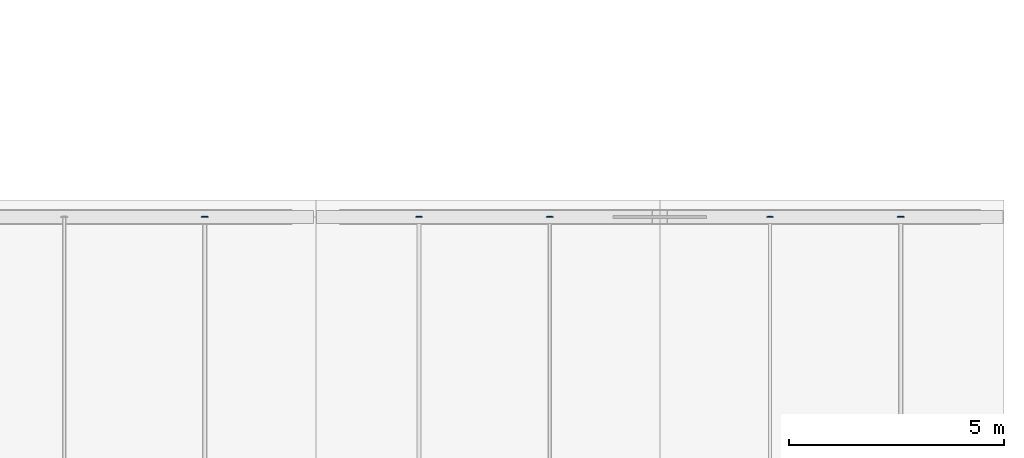
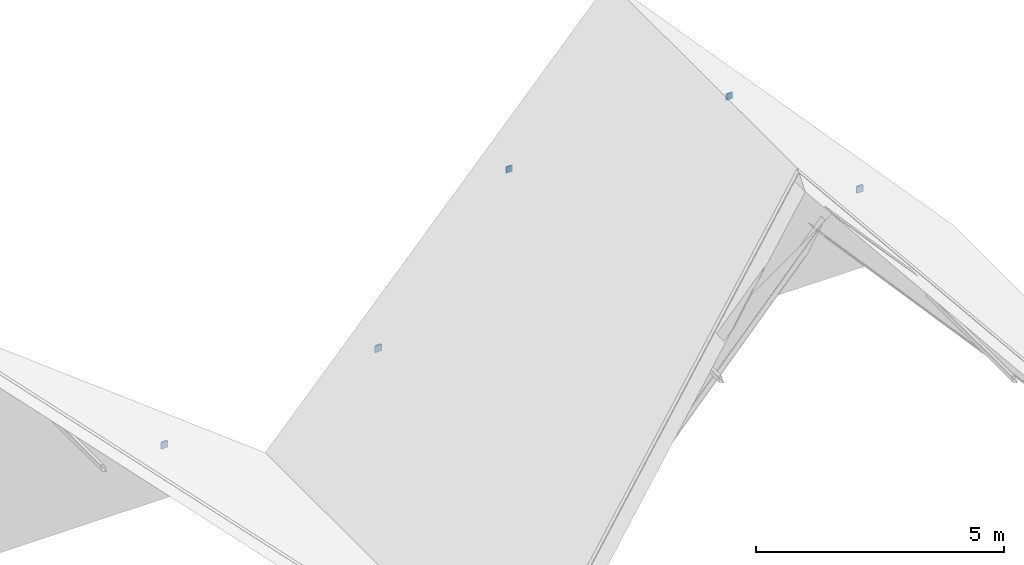
# One storey, part 52 of 64: 10 plates.
"""IFC4 building model written with IfcOpenShell, lengths in metres."""

from ifc_helpers import new_model, si_unit, direction, frame, origin, origin_2d, place, context, subcontext, project, spatial, rectangle, extrude, material, layer, layer_set, type_object, element, save


model = new_model("IFC4")

# Units and contexts
model_context = context("Model", 3, precision=1e-05, world=origin(), true_north=direction((0.0, 1.0)))
body_context = subcontext(model_context, "Body", "Model", "MODEL_VIEW")
ifc_project = project(units=[si_unit("LENGTHUNIT", "METRE"), si_unit("AREAUNIT", "SQUARE_METRE"), si_unit("VOLUMEUNIT", "CUBIC_METRE"), si_unit("PLANEANGLEUNIT", "RADIAN"), si_unit("MASSUNIT", "GRAM", prefix="KILO")], contexts=[model_context])

# Site, building, storey
site_placement = place(None, origin())
site = spatial("IfcSite", under=ifc_project, at=site_placement, CompositionType="ELEMENT")
building_placement = place(site_placement, origin())
building = spatial("IfcBuilding", under=site, at=building_placement, Name="Zhaolan Boulevard Law Courts", CompositionType="ELEMENT")
storey_placement = place(building_placement, frame((0.0, 0.0, 20.39990234375)))
storey = spatial("IfcBuildingStorey", under=building, at=storey_placement, Name="L04", CompositionType="ELEMENT", Elevation=20.39990234375)

# Plates
ifc_material = material(Name="Structural steel Q355B", Category="steel")
ifc_layer = layer(ifc_material, 0.02001953125)
ifc_layer_set = layer_set([ifc_layer])
plate_type = type_object("IfcPlateType", Name="END CAP PLATE 20", PredefinedType="SHEET", material=ifc_layer_set)
for number, where, z_axis, x_axis, name in (
    (1, (145.419921875, 94.0, 1.3251953125), (0.0, 0.0, 1.0), (1.0, 0.0, 0.0), "Purlin End-Cap Plate ECP-GPR6EN"),
    (2, (150.39990234375, 94.0, 1.953125), (0.0, 0.0, 1.0), (1.0, 0.0, 0.0), "Purlin End-Cap Plate ECP-GPR7WN"),
    (3, (161.60009765625, 94.0, 1.953125), (0.0, 0.0, 1.0), (1.0, 0.0, 0.0), "Purlin End-Cap Plate ECP-GPR7EN"),
    (4, (153.43994140625, 94.0, 5.29736328125), (0.0, 0.0, 1.0), (1.0, 0.0, 0.0), "Purlin End-Cap Plate ECP-GPR7WN"),
    (5, (158.56005859375, 94.0, 5.29736328125), (0.0, 0.0, 1.0), (1.0, 0.0, 0.0), "Purlin End-Cap Plate ECP-GPR7EN"),
):
    element("IfcPlate", number, at=place(storey_placement, frame(where, z_axis=z_axis, x_axis=x_axis)), inside=storey, type_object=plate_type, Name=name, PredefinedType="SHEET", context=body_context, shape_type="SweptSolid", body=[
        extrude(rectangle(XDim=0.159912109375, YDim=0.02001953125, at=origin_2d()), origin(), (0.0, 0.0, 1.0), 0.159912109375),
    ])
for number, where, z_axis, x_axis, name in (
    (6, (145.419921875, 94.008056640625, 1.31494140625), (0.0, 0.0, 1.0), (0.0, 1.0, 0.0), "Hollow Section End-Cap Plate ECP-1468"),
    (7, (150.39990234375, 94.008056640625, 1.943359375), (0.0, 0.0, 1.0), (0.0, 1.0, 0.0), "Hollow Section End-Cap Plate ECP-1474"),
    (8, (161.60009765625, 94.008056640625, 1.943359375), (0.0, 0.0, 1.0), (0.0, 1.0, 0.0), "Hollow Section End-Cap Plate ECP-1476"),
):
    element("IfcPlate", number, at=place(storey_placement, frame(where, z_axis=z_axis, x_axis=x_axis)), inside=storey, type_object=plate_type, Name=name, PredefinedType="SHEET", context=body_context, shape_type="SweptSolid", body=[
        extrude(rectangle(XDim=0.02001953125, YDim=0.1298828125, at=origin_2d()), origin(), (0.0, 0.0, 1.0), 0.179931640625),
    ])
for number, where, z_axis, x_axis, name in (
    (9, (153.43994140625, 94.008056640625, 5.30224609375), (0.0, 0.0, 1.0), (0.0, 1.0, 0.0), "Hollow Section End-Cap Plate ECP-1478"),
    (10, (158.56005859375, 94.008056640625, 5.30224609375), (0.0, 0.0, 1.0), (0.0, 1.0, 0.0), "Hollow Section End-Cap Plate ECP-1480"),
):
    element("IfcPlate", number, at=place(storey_placement, frame(where, z_axis=z_axis, x_axis=x_axis)), inside=storey, type_object=plate_type, Name=name, PredefinedType="SHEET", context=body_context, shape_type="SweptSolid", body=[
        extrude(rectangle(XDim=0.02001953125, YDim=0.110107421875, at=origin_2d()), origin(), (0.0, 0.0, 1.0), 0.14990234375),
    ])

save(model, "model.ifc")
